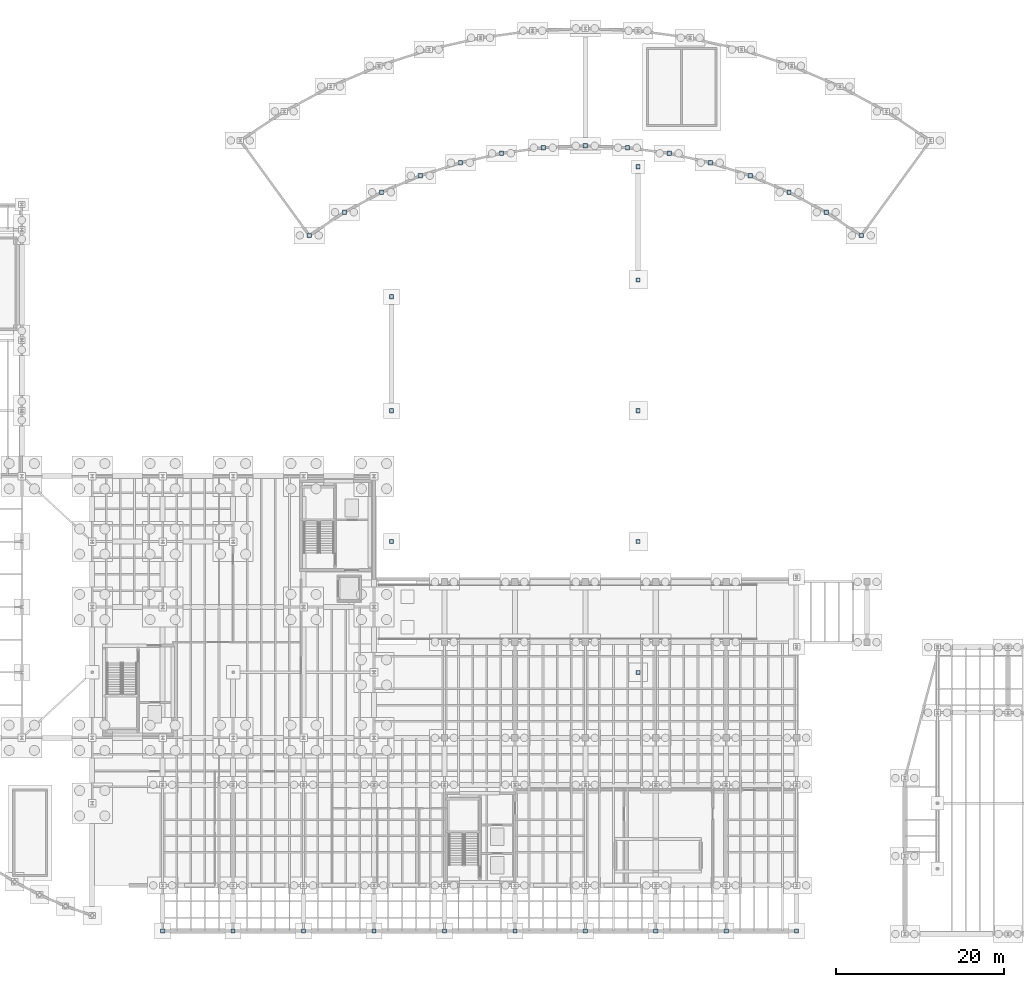
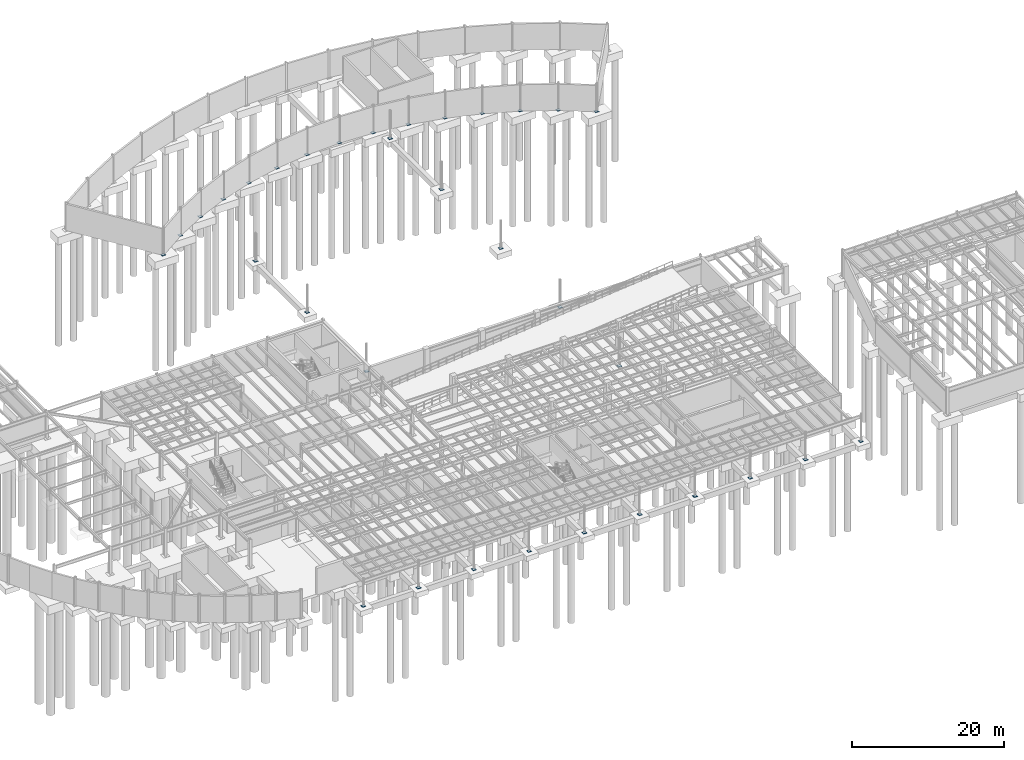
# One storey, part 32 of 41: 33 plates.
"""IFC4 building model written with IfcOpenShell, lengths in metres."""

import ifcopenshell
import ifcopenshell.guid

model = None  # the IFC model being written
_history = None  # IfcOwnerHistory: only IFC2X3 demands one
_inside = {}  # id of a spatial element -> (the spatial element, [elements in it])
_under = {}  # id of a project, library or spatial element -> (it, [spatial elements below it])
_declared = {}  # id of a project -> (the project, [libraries it declares])
_typed = {}  # id of a type object -> (the type object, [elements of that type])
_made_of = {}  # id of a material, layer set ... -> (it, [elements and type objects made of it])


def new_model(schema):
    """Start an empty IFC model of exactly this schema.

    Asked for "IFC4X3", IfcOpenShell would pick the latest addendum, in which some entities
    have other attributes; the version numbers below select the first issue.
    IFC2X3 requires an IfcOwnerHistory on every rooted entity: one is made here for all.
    """
    global model, _history
    if schema == "IFC4X3":
        model = ifcopenshell.file(schema_version=(4, 3, 0, 0))
    else:
        model = ifcopenshell.file(schema=schema)
    _inside.clear()
    _under.clear()
    _declared.clear()
    _typed.clear()
    _made_of.clear()
    _history = None
    if model.schema == "IFC2X3":
        org = make("IfcOrganization", Name="unknown")
        user = make(
            "IfcPersonAndOrganization",
            ThePerson=make("IfcPerson", FamilyName="unknown"),
            TheOrganization=org,
        )
        app = make(
            "IfcApplication",
            ApplicationDeveloper=org,
            Version="unknown",
            ApplicationFullName="unknown",
            ApplicationIdentifier="unknown",
        )
        _history = make(
            "IfcOwnerHistory",
            OwningUser=user,
            OwningApplication=app,
            ChangeAction="ADDED",
            CreationDate=0,
        )
    return model


def make(cls, **values):
    """One entity of the class cls with the attributes given. An attribute that is None is left unset."""
    return model.create_entity(
        cls, **{name: value for name, value in values.items() if value is not None}
    )


def rooted(cls, **values):
    """An entity with a GlobalId (a new one), such as an element, a storey or a relation."""
    return make(cls, GlobalId=ifcopenshell.guid.new(), OwnerHistory=_history, **values)


def si_unit(unit_type, name, prefix=None):
    """IfcSIUnit, for example si_unit("LENGTHUNIT", "METRE", prefix="MILLI")."""
    return make("IfcSIUnit", UnitType=unit_type, Prefix=prefix, Name=name)


def assignment(units):
    """IfcUnitAssignment: the units of a project."""
    return None if units is None else make("IfcUnitAssignment", Units=units)


def point(xyz):
    """IfcCartesianPoint."""
    return None if xyz is None else make("IfcCartesianPoint", Coordinates=xyz)


def direction(xyz):
    """IfcDirection."""
    return None if xyz is None else make("IfcDirection", DirectionRatios=xyz)


def frame(location, z_axis=None, x_axis=None):
    """IfcAxis2Placement3D, a coordinate frame: its origin and axes. An axis left out is left unset."""
    return make(
        "IfcAxis2Placement3D",
        Location=point(location),
        Axis=direction(z_axis),
        RefDirection=direction(x_axis),
    )


def frame_2d(location, x_axis=None):
    """IfcAxis2Placement2D, a coordinate frame in the plane: its origin and x axis."""
    return make(
        "IfcAxis2Placement2D", Location=point(location), RefDirection=direction(x_axis)
    )


def origin():
    """The frame at (0, 0, 0) with its axes left unset."""
    return frame((0.0, 0.0, 0.0))


def origin_2d():
    """The frame at (0, 0) in the plane with its x axis left unset."""
    return frame_2d((0.0, 0.0))


def place(relative_to, where):
    """IfcLocalPlacement: puts the frame where relative to a parent placement (None: the world)."""
    return make(
        "IfcLocalPlacement", PlacementRelTo=relative_to, RelativePlacement=where
    )


def context(
    kind, dimensions, precision=None, world=None, true_north=None, identifier=None
):
    """IfcGeometricRepresentationContext, for example the 3D "Model" context."""
    return make(
        "IfcGeometricRepresentationContext",
        ContextIdentifier=identifier,
        ContextType=kind,
        CoordinateSpaceDimension=dimensions,
        Precision=precision,
        WorldCoordinateSystem=world,
        TrueNorth=true_north,
    )


def subcontext(parent, identifier, kind, view, scale=None):
    """IfcGeometricRepresentationSubContext, for example "Body" below "Model"."""
    return make(
        "IfcGeometricRepresentationSubContext",
        ContextIdentifier=identifier,
        ContextType=kind,
        ParentContext=parent,
        TargetScale=scale,
        TargetView=view,
    )


def project(units=None, contexts=None):
    """IfcProject with its units and contexts."""
    return rooted(
        "IfcProject",
        Name="project",
        RepresentationContexts=contexts,
        UnitsInContext=assignment(units),
    )


def spatial(cls, under=None, at=None, **own):
    """A site, building, storey or space (cls), placed at a placement, below another one or the project."""
    s = rooted(cls, ObjectPlacement=at, **own)
    if under is not None:
        _under.setdefault(under.id(), (under, []))[1].append(s)
    return s


def profile(cls, at=None, kind="AREA", **sizes):
    """A parametric profile (cls). Its sizes go by their IFC names, for example OverallWidth=200.0."""
    return make(cls, ProfileType=kind, Position=at, **sizes)


def rectangle(**sizes):
    """IfcRectangleProfileDef."""
    return profile("IfcRectangleProfileDef", **sizes)


def extrude(swept, where, along, depth):
    """IfcExtrudedAreaSolid: the profile swept, set in the frame where, extruded along a direction by depth."""
    return make(
        "IfcExtrudedAreaSolid",
        SweptArea=swept,
        Position=where,
        ExtrudedDirection=direction(along),
        Depth=depth,
    )


def shape(context_of_items, identifier, shape_type, items):
    """IfcShapeRepresentation: the items that make up one representation, for example the "Body"."""
    return make(
        "IfcShapeRepresentation",
        ContextOfItems=context_of_items,
        RepresentationIdentifier=identifier,
        RepresentationType=shape_type,
        Items=items,
    )


def material(Name=None, Category=None):
    """IfcMaterial."""
    return make("IfcMaterial", Name=Name, Category=Category)


def layer(
    of_material, thickness, ventilated=None, Name=None, Category=None, Priority=None
):
    """IfcMaterialLayer: one layer of a wall or slab, of a material (None: an air gap)."""
    return make(
        "IfcMaterialLayer",
        Material=of_material,
        LayerThickness=thickness,
        IsVentilated=ventilated,
        Name=Name,
        Category=Category,
        Priority=Priority,
    )


def layer_set(layers, Name=None):
    """IfcMaterialLayerSet."""
    return make("IfcMaterialLayerSet", MaterialLayers=layers, LayerSetName=Name)


def made_of(thing, what):
    """Note that an element or type object is made of a material, layer set ...; save() writes the relation."""
    if what is not None:
        _made_of.setdefault(what.id(), (what, []))[1].append(thing)
    return thing


def type_object(cls, material=None, **own):
    """A type object (cls), such as IfcWallType, which elements share."""
    return made_of(rooted(cls, **own), material)


def element(
    cls,
    number,
    at=None,
    inside=None,
    cuts=None,
    type_object=None,
    material=None,
    context=None,
    identifier="Body",
    shape_type=None,
    held_by="IfcProductDefinitionShape",
    body=None,
    shapes=None,
    **own,
):
    """One element of the class cls, such as IfcWall. Its Tag is "e" and its number.

    at: its placement. inside: the storey or other place that contains it. cuts: it is an
    opening in that element (IfcRelVoidsElement). A single representation is given by context,
    identifier, shape_type and body (its items); several are given by shapes. held_by: the class
    of the entity that holds the representations. save() writes the other relations.
    """
    e = rooted(cls, Tag="e%d" % number, ObjectPlacement=at, **own)
    if body is not None:
        shapes = [shape(context, identifier, shape_type, body)]
    if shapes is not None:
        e.Representation = make(held_by, Representations=shapes)
    if inside is not None:
        _inside.setdefault(inside.id(), (inside, []))[1].append(e)
    if cuts is not None:
        rooted(
            "IfcRelVoidsElement", RelatingBuildingElement=cuts, RelatedOpeningElement=e
        )
    if type_object is not None:
        _typed.setdefault(type_object.id(), (type_object, []))[1].append(e)
    return made_of(e, material)


def aggregate(whole, parts):
    """IfcRelAggregates: a whole, such as a stair, and the parts it consists of."""
    return rooted("IfcRelAggregates", RelatingObject=whole, RelatedObjects=parts)


def save(model, path):
    """Write the relations noted so far, then the file.

    IfcRelAggregates (storeys below a building ...), IfcRelContainedInSpatialStructure (elements
    in a storey), IfcRelDefinesByType, IfcRelAssociatesMaterial and IfcRelDeclares: one each for
    every whole, place, type object, material and project.
    """
    for whole, parts in _under.values():
        aggregate(whole, parts)
    for where, things in _inside.values():
        rooted(
            "IfcRelContainedInSpatialStructure",
            RelatedElements=things,
            RelatingStructure=where,
        )
    for kind, things in _typed.values():
        rooted("IfcRelDefinesByType", RelatedObjects=things, RelatingType=kind)
    for what, things in _made_of.values():
        rooted("IfcRelAssociatesMaterial", RelatedObjects=things, RelatingMaterial=what)
    for by, libraries in _declared.values():
        rooted("IfcRelDeclares", RelatingContext=by, RelatedDefinitions=libraries)
    model.write(path)


model = new_model("IFC4")

# Units and contexts
model_context = context("Model", 3, precision=1e-05, world=origin(), true_north=direction((0.0, 1.0)))
body_context = subcontext(model_context, "Body", "Model", "MODEL_VIEW")
ifc_project = project(units=[si_unit("LENGTHUNIT", "METRE"), si_unit("AREAUNIT", "SQUARE_METRE"), si_unit("VOLUMEUNIT", "CUBIC_METRE"), si_unit("PLANEANGLEUNIT", "RADIAN"), si_unit("MASSUNIT", "GRAM", prefix="KILO")], contexts=[model_context])

# Site, building, storey
site_placement = place(None, origin())
site = spatial("IfcSite", under=ifc_project, at=site_placement, CompositionType="ELEMENT")
building_placement = place(site_placement, origin())
building = spatial("IfcBuilding", under=site, at=building_placement, Name="Selat Folded Stagehouse", CompositionType="ELEMENT")
storey_placement = place(building_placement, frame((0.0, 0.0, -4.5)))
storey = spatial("IfcBuildingStorey", under=building, at=storey_placement, Name="B1", CompositionType="ELEMENT", Elevation=-4.5)

# Plates
ifc_material = material(Name="Steel S355", Category="steel")
ifc_layer = layer(ifc_material, 0.02490234375)
ifc_layer_set = layer_set([ifc_layer], Name="Steel S355")
plate_type = type_object("IfcPlateType", Name="PLT-BASE-500x500x25", PredefinedType="USERDEFINED", material=ifc_layer_set)
for number, where, z_axis, x_axis, name in (
    (1, (42.0, 0.35009765625, 0.0), (0.0, 0.0, 1.0), (1.0, 0.0, 0.0), "Column base plate STK-COLPOST-42"),
    (2, (50.39990234375, 0.35009765625, 0.0), (0.0, 0.0, 1.0), (1.0, 0.0, 0.0), "Column base plate STK-COLPOST-50"),
    (3, (58.800048828125, 0.35009765625, 0.0), (0.0, 0.0, 1.0), (1.0, 0.0, 0.0), "Column base plate STK-COLPOST-58"),
    (4, (67.199951171875, 0.35009765625, 0.0), (0.0, 0.0, 1.0), (1.0, 0.0, 0.0), "Column base plate STK-COLPOST-67"),
    (5, (75.60009765625, 0.35009765625, 0.0), (0.0, 0.0, 1.0), (1.0, 0.0, 0.0), "Column base plate STK-COLPOST-75"),
    (6, (84.0, 0.35009765625, 0.0), (0.0, 0.0, 1.0), (1.0, 0.0, 0.0), "Column base plate STK-COLPOST-84"),
    (7, (92.39990234375, 0.35009765625, 0.0), (0.0, 0.0, 1.0), (1.0, 0.0, 0.0), "Column base plate STK-COLPOST-92"),
    (8, (100.800048828125, 0.35009765625, 0.0), (0.0, 0.0, 1.0), (1.0, 0.0, 0.0), "Column base plate STK-COLPOST-100"),
    (9, (109.199951171875, 0.35009765625, 0.0), (0.0, 0.0, 1.0), (1.0, 0.0, 0.0), "Column base plate STK-COLPOST-109"),
    (10, (117.60009765625, 0.35009765625, 0.0), (0.0, 0.0, 1.0), (1.0, 0.0, 0.0), "Column base plate STK-COLPOST-117"),
    (11, (59.48388671875, 83.304931640625, 0.0), (0.0, 0.0, 1.0), (1.0, 0.0, 0.0), "Column base plate STK-V6IN-00"),
    (12, (63.677490234375, 86.072998046875, 0.0), (0.0, 0.0, 1.0), (1.0, 0.0, 0.0), "Column base plate STK-V6IN-01"),
    (13, (68.1025390625, 88.454345703125, 0.0), (0.0, 0.0, 1.0), (1.0, 0.0, 0.0), "Column base plate STK-V6IN-02"),
    (14, (72.722900390625, 90.42919921875, 0.0), (0.0, 0.0, 1.0), (1.0, 0.0, 0.0), "Column base plate STK-V6IN-03"),
    (15, (77.501953125, 91.98193359375, 0.0), (0.0, 0.0, 1.0), (1.0, 0.0, 0.0), "Column base plate STK-V6IN-04"),
    (16, (82.40087890625, 93.10009765625, 0.0), (0.0, 0.0, 1.0), (1.0, 0.0, 0.0), "Column base plate STK-V6IN-05"),
    (17, (87.380126953125, 93.774658203125, 0.0), (0.0, 0.0, 1.0), (1.0, 0.0, 0.0), "Column base plate STK-V6IN-06"),
    (18, (92.39990234375, 94.0, 0.0), (0.0, 0.0, 1.0), (1.0, 0.0, 0.0), "Column base plate STK-V6IN-07"),
    (19, (97.419921875, 93.774658203125, 0.0), (0.0, 0.0, 1.0), (1.0, 0.0, 0.0), "Column base plate STK-V6IN-08"),
    (20, (102.399169921875, 93.10009765625, 0.0), (0.0, 0.0, 1.0), (1.0, 0.0, 0.0), "Column base plate STK-V6IN-09"),
    (21, (107.298095703125, 91.98193359375, 0.0), (0.0, 0.0, 1.0), (1.0, 0.0, 0.0), "Column base plate STK-V6IN-10"),
    (22, (112.076904296875, 90.42919921875, 0.0), (0.0, 0.0, 1.0), (1.0, 0.0, 0.0), "Column base plate STK-V6IN-11"),
    (23, (116.697509765625, 88.454345703125, 0.0), (0.0, 0.0, 1.0), (1.0, 0.0, 0.0), "Column base plate STK-V6IN-12"),
    (24, (121.122314453125, 86.072998046875, 0.0), (0.0, 0.0, 1.0), (1.0, 0.0, 0.0), "Column base plate STK-V6IN-13"),
    (25, (125.31591796875, 83.304931640625, 0.0), (0.0, 0.0, 1.0), (1.0, 0.0, 0.0), "Column base plate STK-V6IN-14"),
    (26, (69.300048828125, 46.800048828125, 0.0), (0.0, 0.0, 1.0), (1.0, 0.0, 0.0), "Column base plate STK-BR1-468"),
    (27, (69.300048828125, 62.39990234375, 0.0), (0.0, 0.0, 1.0), (1.0, 0.0, 0.0), "Column base plate STK-BR1-624"),
    (28, (69.300048828125, 76.0, 0.0), (0.0, 0.0, 1.0), (1.0, 0.0, 0.0), "Column base plate STK-BR1-760"),
    (29, (98.699951171875, 31.199951171875, 0.0), (0.0, 0.0, 1.0), (1.0, 0.0, 0.0), "Column base plate STK-BR2-312"),
    (30, (98.699951171875, 46.800048828125, 0.0), (0.0, 0.0, 1.0), (1.0, 0.0, 0.0), "Column base plate STK-BR2-468"),
    (31, (98.699951171875, 62.39990234375, 0.0), (0.0, 0.0, 1.0), (1.0, 0.0, 0.0), "Column base plate STK-BR2-624"),
    (32, (98.699951171875, 78.0, 0.0), (0.0, 0.0, 1.0), (1.0, 0.0, 0.0), "Column base plate STK-BR2-780"),
    (33, (98.699951171875, 91.5, 0.0), (0.0, 0.0, 1.0), (1.0, 0.0, 0.0), "Column base plate STK-BR2-915"),
):
    element("IfcPlate", number, at=place(storey_placement, frame(where, z_axis=z_axis, x_axis=x_axis)), inside=storey, type_object=plate_type, Name=name, ObjectType="BASE_PLATE", PredefinedType="USERDEFINED", context=body_context, shape_type="SweptSolid", body=[
        extrude(rectangle(XDim=0.5, YDim=0.5, at=origin_2d()), origin(), (0.0, 0.0, 1.0), 0.02490234375),
    ])

save(model, "model.ifc")
